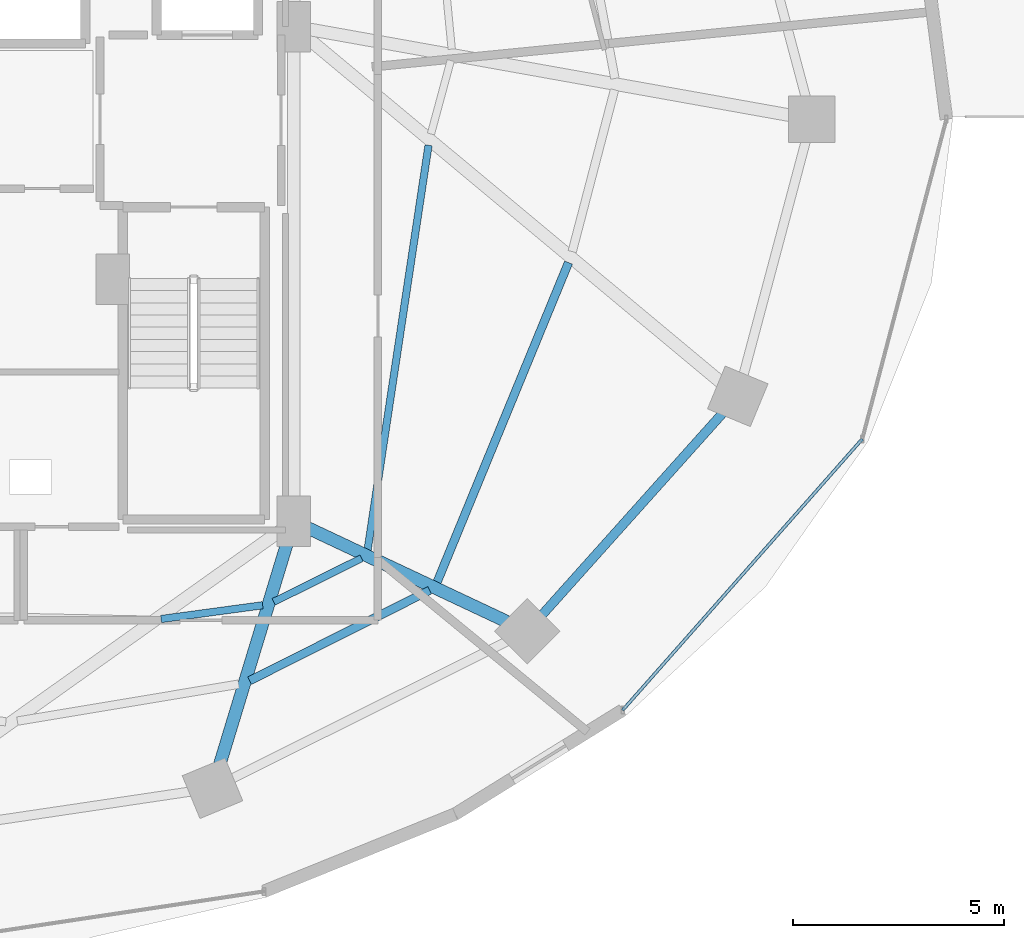
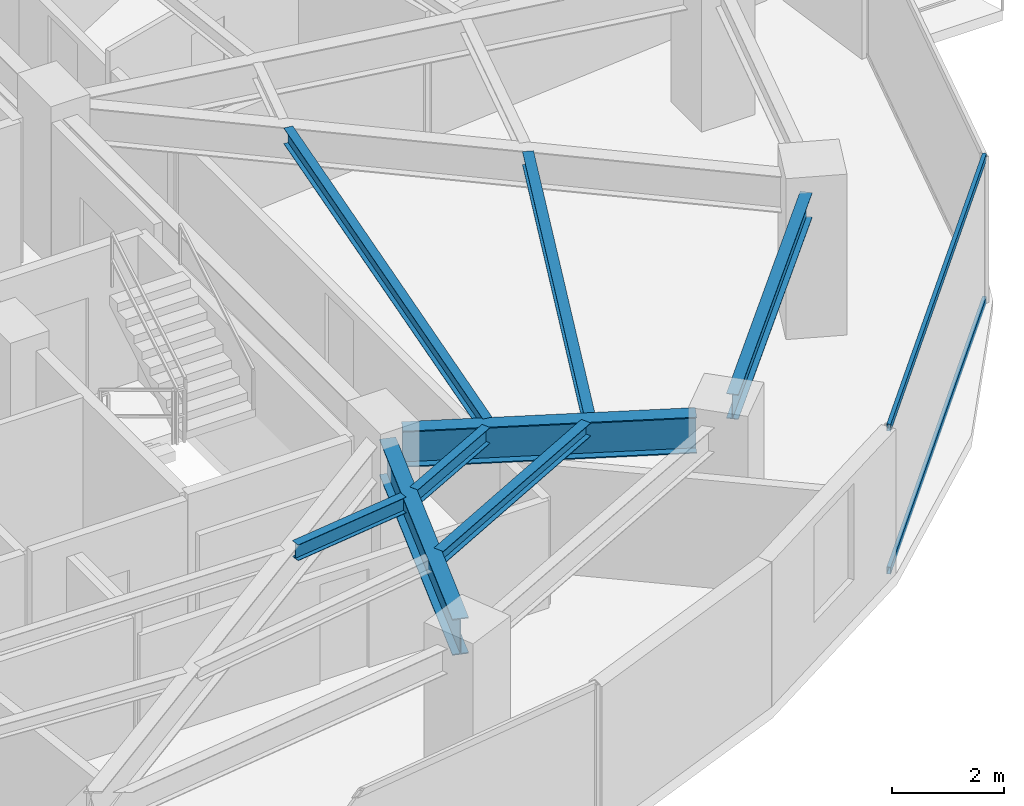
# One storey, part 12 of 29: 8 beams, 2 members, 1 element without a shape of its own.
"""IFC4 building model written with IfcOpenShell, lengths in metres."""

from ifc_helpers import new_model, si_unit, direction, frame, origin, origin_2d, place, context, subcontext, project, spatial, hollow_rectangle, i_section, extrude, material, material_profile, profile_set, type_object, element, aggregate, save


model = new_model("IFC4")

# Units and contexts
model_context = context("Model", 3, precision=1e-05, world=origin(), true_north=direction((0.0, 1.0)))
body_context = subcontext(model_context, "Body", "Model", "MODEL_VIEW")
ifc_project = project(units=[si_unit("LENGTHUNIT", "METRE"), si_unit("AREAUNIT", "SQUARE_METRE"), si_unit("VOLUMEUNIT", "CUBIC_METRE"), si_unit("PLANEANGLEUNIT", "RADIAN"), si_unit("MASSUNIT", "GRAM", prefix="KILO")], contexts=[model_context])

# Site, building, storey
site_placement = place(None, origin())
site = spatial("IfcSite", under=ifc_project, at=site_placement, CompositionType="ELEMENT")
building_placement = place(site_placement, origin())
building = spatial("IfcBuilding", under=site, at=building_placement, Name="Vorneva Point Tower", CompositionType="ELEMENT")
storey_placement = place(building_placement, frame((0.0, 0.0, 120.800048828125)))
storey = spatial("IfcBuildingStorey", under=building, at=storey_placement, Name="L32", CompositionType="ELEMENT", Elevation=120.800048828125)

# Beams
ifc_material_1 = material(Name="Steel S355", Category="steel")
ifc_material_profile_1 = material_profile(ifc_material_1, i_section(OverallWidth=0.300048828125, OverallDepth=0.7880859375, WebThickness=0.014404296875, FlangeThickness=0.02197265625, at=origin_2d()), Name="80Sh1")
ifc_profile_set_1 = profile_set([ifc_material_profile_1], Name="Steel S355")
beam_type_1 = type_object("IfcBeamType", Name="BM-GRD-80Sh1", PredefinedType="USERDEFINED", material=ifc_profile_set_1)
beam_1_placement = place(storey_placement, frame((46.9775390625, 10.6240234375, 2.755859375), z_axis=(0.291034888253, 0.956712440506, 0.0), x_axis=(-0.956712440506, 0.291034888253, 0.0)))
element("IfcBeam", 1, at=beam_1_placement, inside=storey, type_object=beam_type_1, Name="L32 Radial Primary Girder 14", ObjectType="GIRDER", PredefinedType="USERDEFINED", context=body_context, shape_type="SweptSolid", body=[
    extrude(i_section(OverallWidth=0.300048828125, OverallDepth=0.7880859375, WebThickness=0.014404296875, FlangeThickness=0.02197265625, at=origin_2d()), origin(), (0.0, 0.0, 1.0), 5.74951171875),
])
beam_2_placement = place(storey_placement, frame((53.81201171875, 14.06689453125, 2.755859375), z_axis=(-0.904751304927, 0.425940226126, 0.0), x_axis=(-0.425940226126, -0.904751304927, 0.0)))
element("IfcBeam", 2, at=beam_2_placement, inside=storey, type_object=beam_type_1, Name="L32 Radial Primary Girder 15", ObjectType="GIRDER", PredefinedType="USERDEFINED", context=body_context, shape_type="SweptSolid", body=[
    extrude(i_section(OverallWidth=0.300048828125, OverallDepth=0.7880859375, WebThickness=0.014404296875, FlangeThickness=0.02197265625, at=origin_2d()), origin(), (0.0, 0.0, 1.0), 5.2548828125),
])
ifc_material_profile_2 = material_profile(ifc_material_1, i_section(OverallWidth=0.199951171875, OverallDepth=0.291015625, WebThickness=0.008056640625, FlangeThickness=0.010986328125, at=origin_2d()), Name="30Sh1")
ifc_profile_set_2 = profile_set([ifc_material_profile_2], Name="Steel S355")
beam_type_2 = type_object("IfcBeamType", Name="BM-SEC-30Sh1", PredefinedType="BEAM", material=ifc_profile_set_2)
beam_3_placement = place(storey_placement, frame((47.703369140625, 12.666015625, 3.00439453125), z_axis=(0.89376245769, 0.448540599304, 0.0), x_axis=(-0.448540599304, 0.89376245769, 0.0)))
element("IfcBeam", 3, at=beam_3_placement, inside=storey, type_object=beam_type_2, Name="L32 Secondary Floor Beam 1.14", PredefinedType="BEAM", context=body_context, shape_type="SweptSolid", body=[
    extrude(i_section(OverallWidth=0.199951171875, OverallDepth=0.291015625, WebThickness=0.008056640625, FlangeThickness=0.010986328125, at=origin_2d()), origin(), (0.0, 0.0, 1.0), 4.78173828125),
])
beam_4_placement = place(storey_placement, frame((52.15283203125, 15.00048828125, 3.00439453125), z_axis=(0.380401314352, 0.924821517937, 0.0), x_axis=(-0.924821517937, 0.380401314352, 0.0)))
element("IfcBeam", 4, at=beam_4_placement, inside=storey, type_object=beam_type_2, Name="L32 Secondary Floor Beam 1.15", PredefinedType="BEAM", context=body_context, shape_type="SweptSolid", body=[
    extrude(i_section(OverallWidth=0.199951171875, OverallDepth=0.291015625, WebThickness=0.008056640625, FlangeThickness=0.010986328125, at=origin_2d()), origin(), (0.0, 0.0, 1.0), 8.21044921875),
])
ifc_material_profile_3 = material_profile(ifc_material_1, i_section(OverallWidth=0.174072265625, OverallDepth=0.345947265625, WebThickness=0.006103515625, FlangeThickness=0.009033203125, at=origin_2d()), Name="35B1")
ifc_profile_set_3 = profile_set([ifc_material_profile_3], Name="Steel S355")
beam_type_3 = type_object("IfcBeamType", Name="BM-SEC-35B1", PredefinedType="BEAM", material=ifc_profile_set_3)
beam_5_placement = place(storey_placement, frame((45.599365234375, 14.129150390625, 2.97705078125), z_axis=(0.990946337879, 0.134258539555, 0.0), x_axis=(-0.134258539555, 0.990946337879, 0.0)))
element("IfcBeam", 5, at=beam_5_placement, inside=storey, type_object=beam_type_3, Name="L32 Secondary Floor Beam 2.13", PredefinedType="BEAM", context=body_context, shape_type="SweptSolid", body=[
    extrude(i_section(OverallWidth=0.174072265625, OverallDepth=0.345947265625, WebThickness=0.006103515625, FlangeThickness=0.009033203125, at=origin_2d()), origin(), (0.0, 0.0, 1.0), 2.434814453125),
])
beam_6_placement = place(storey_placement, frame((48.272705078125, 14.535888671875, 2.97705078125), z_axis=(0.89565974577, 0.444739946268, 0.0), x_axis=(-0.444739946268, 0.89565974577, 0.0)))
element("IfcBeam", 6, at=beam_6_placement, inside=storey, type_object=beam_type_3, Name="L32 Secondary Floor Beam 2.14", PredefinedType="BEAM", context=body_context, shape_type="SweptSolid", body=[
    extrude(i_section(OverallWidth=0.174072265625, OverallDepth=0.345947265625, WebThickness=0.006103515625, FlangeThickness=0.009033203125, at=origin_2d()), origin(), (0.0, 0.0, 1.0), 2.330810546875),
])
beam_7_placement = place(storey_placement, frame((50.50439453125, 15.770263671875, 2.97705078125), z_axis=(0.148950979938, 0.988844581102, 0.0), x_axis=(-0.988844581102, 0.148950979938, 0.0)))
element("IfcBeam", 7, at=beam_7_placement, inside=storey, type_object=beam_type_3, Name="L32 Secondary Floor Beam 2.15", PredefinedType="BEAM", context=body_context, shape_type="SweptSolid", body=[
    extrude(i_section(OverallWidth=0.174072265625, OverallDepth=0.345947265625, WebThickness=0.006103515625, FlangeThickness=0.009033203125, at=origin_2d()), origin(), (0.0, 0.0, 1.0), 9.718017578125),
])
ifc_material_profile_4 = material_profile(ifc_material_1, i_section(OverallWidth=0.219970703125, OverallDepth=0.54296875, WebThickness=0.009521484375, FlangeThickness=0.013427734375, at=origin_2d()), Name="55B1")
ifc_profile_set_4 = profile_set([ifc_material_profile_4], Name="Steel S355")
beam_type_4 = type_object("IfcBeamType", Name="BM-SPN-55B1", PredefinedType="SPANDREL", material=ifc_profile_set_4)
beam_8_placement = place(storey_placement, frame((54.65576171875, 14.236328125, 2.87841796875), z_axis=(0.667073815664, 0.744991627105, 0.0), x_axis=(-0.744991627105, 0.667073815664, 0.0)))
element("IfcBeam", 8, at=beam_8_placement, inside=storey, type_object=beam_type_4, Name="L32 Perimeter Spandrel Ring Beam 15", PredefinedType="SPANDREL", context=body_context, shape_type="SweptSolid", body=[
    extrude(i_section(OverallWidth=0.219970703125, OverallDepth=0.54296875, WebThickness=0.009521484375, FlangeThickness=0.013427734375, at=origin_2d()), origin(), (0.0, 0.0, 1.0), 6.420166015625),
])

# Curtain wall, members
ifc_material_2 = material(Name="Pale anodised aluminium", Category="aluminium")
curtain_wall_type = type_object("IfcCurtainWallType", Name="CW-HTL-SYS", PredefinedType="NOTDEFINED", material=ifc_material_2)
curtain_wall_placement = place(storey_placement, origin())
curtain_wall = element("IfcCurtainWall", 9, at=curtain_wall_placement, inside=storey, type_object=curtain_wall_type, Name="L32 Unitised Curtain Wall CW-L32-R04", PredefinedType="NOTDEFINED")
ifc_material_profile_5 = material_profile(ifc_material_2, hollow_rectangle(XDim=0.074951171875, YDim=0.14990234375, WallThickness=0.00390625, at=origin_2d()), Name="AL-TRN 150x75x4")
ifc_profile_set_5 = profile_set([ifc_material_profile_5], Name="Pale anodised aluminium")
member_type = type_object("IfcMemberType", Name="CW-TRN-150", PredefinedType="USERDEFINED", material=ifc_profile_set_5)
member_1_placement = place(storey_placement, frame((56.5615234375, 11.9638671875, 0.02001953125), z_axis=(0.662137326257, 0.74938251993, 0.0), x_axis=(-0.74938251993, 0.662137326257, 0.0)))
member_1 = element("IfcMember", 10, at=member_1_placement, type_object=member_type, Name="CW-L32-R04 Transom 01.1", ObjectType="TRANSOM", PredefinedType="USERDEFINED", context=body_context, shape_type="SweptSolid", body=[
    extrude(hollow_rectangle(XDim=0.074951171875, YDim=0.14990234375, WallThickness=0.00390625, at=origin_2d()), origin(), (0.0, 0.0, 1.0), 8.59375),
])
member_2_placement = place(storey_placement, frame((56.5615234375, 11.9638671875, 3.1298828125), z_axis=(0.662137326257, 0.74938251993, 0.0), x_axis=(-0.74938251993, 0.662137326257, 0.0)))
member_2 = element("IfcMember", 11, at=member_2_placement, type_object=member_type, Name="CW-L32-R04 Transom 01.2", ObjectType="TRANSOM", PredefinedType="USERDEFINED", context=body_context, shape_type="SweptSolid", body=[
    extrude(hollow_rectangle(XDim=0.074951171875, YDim=0.14990234375, WallThickness=0.00390625, at=origin_2d()), origin(), (0.0, 0.0, 1.0), 8.59375),
])
aggregate(curtain_wall, [member_1, member_2])

save(model, "model.ifc")
